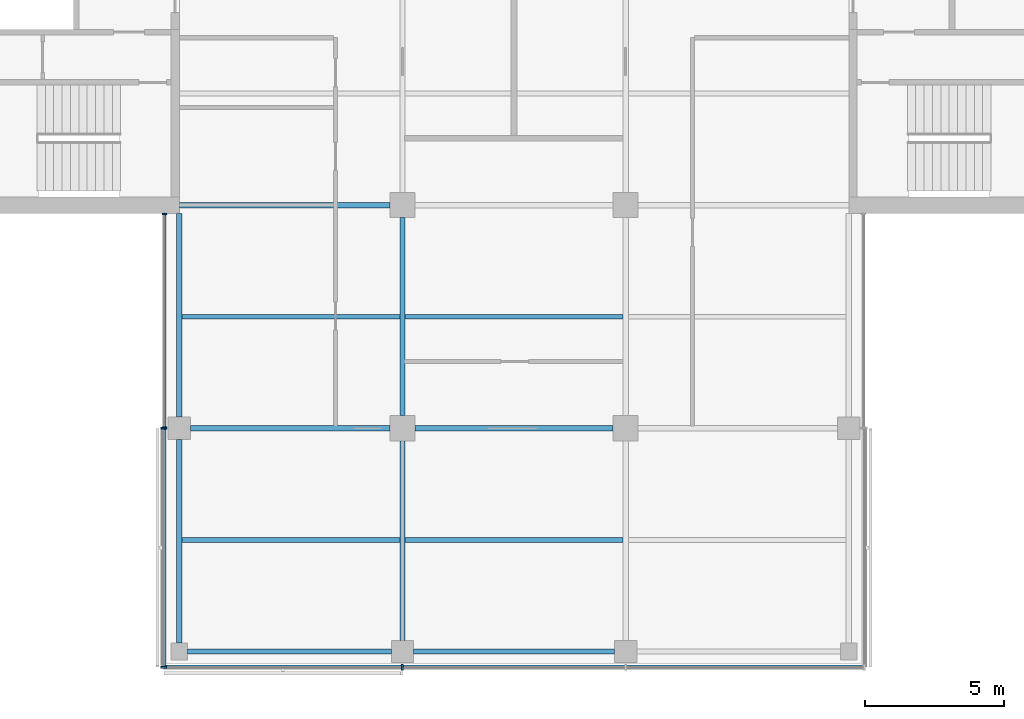
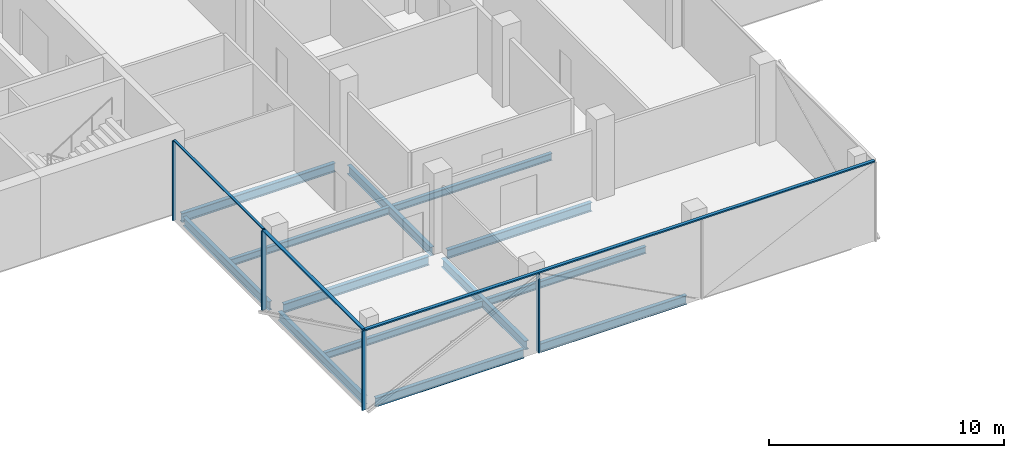
# One storey, part 2 of 15: 13 beams, 8 members, 3 elements without a shape of their own.
"""IFC4 building model written with IfcOpenShell, lengths in metres."""

from ifc_helpers import new_model, si_unit, direction, frame, origin, origin_2d, place, context, subcontext, project, spatial, rectangle, i_section, extrude, material, material_profile, profile_set, type_object, element, aggregate, save


model = new_model("IFC4")

# Units and contexts
model_context = context("Model", 3, precision=1e-05, world=origin(), true_north=direction((0.0, 1.0)))
body_context = subcontext(model_context, "Body", "Model", "MODEL_VIEW")
ifc_project = project(units=[si_unit("LENGTHUNIT", "METRE"), si_unit("AREAUNIT", "SQUARE_METRE"), si_unit("VOLUMEUNIT", "CUBIC_METRE"), si_unit("PLANEANGLEUNIT", "RADIAN"), si_unit("MASSUNIT", "GRAM", prefix="KILO")], contexts=[model_context])

# Site, building, storey
site_placement = place(None, origin())
site = spatial("IfcSite", under=ifc_project, at=site_placement, CompositionType="ELEMENT")
building_placement = place(site_placement, origin())
building = spatial("IfcBuilding", under=site, at=building_placement, Name="Crosswind Convention Tower", CompositionType="ELEMENT")
storey_placement = place(building_placement, frame((0.0, 0.0, 225.10009765625)))
storey = spatial("IfcBuildingStorey", under=building, at=storey_placement, Name="L48", CompositionType="ELEMENT", Elevation=225.10009765625)

# Beams
ifc_material_1 = material(Name="Steel S355", Category="steel")
ifc_material_profile_1 = material_profile(ifc_material_1, i_section(OverallWidth=0.18994140625, OverallDepth=0.45361328125, WebThickness=0.008544921875, FlangeThickness=0.0126953125, FilletRadius=0.01025390625, at=origin_2d()), Name="UB 457x191x67")
ifc_profile_set_1 = profile_set([ifc_material_profile_1], Name="Steel S355")
beam_type_1 = type_object("IfcBeamType", Name="Edge beam UB 457x191x67", PredefinedType="SPANDREL", material=ifc_profile_set_1)
for number, where, z_axis, x_axis, name in (
    (1, (113.0, 72.300048828125, -0.52685546875), (0.0, 1.0, 0.0), (-1.0, 0.0, 0.0), "B16 L48 edge beam 1"),
    (2, (113.0, 80.39990234375, -0.52685546875), (0.0, 1.0, 0.0), (-1.0, 0.0, 0.0), "B16 L48 edge beam 2"),
    (3, (113.300048828125, 72.0, -0.52685546875), (1.0, 0.0, 0.0), (0.0, 1.0, 0.0), "B16 L48 edge beam 5"),
):
    element("IfcBeam", number, at=place(storey_placement, frame(where, z_axis=z_axis, x_axis=x_axis)), inside=storey, type_object=beam_type_1, Name=name, PredefinedType="SPANDREL", context=body_context, shape_type="SweptSolid", body=[
        extrude(i_section(OverallWidth=0.18994140625, OverallDepth=0.45361328125, WebThickness=0.008544921875, FlangeThickness=0.0126953125, FilletRadius=0.01025390625, at=origin_2d()), origin(), (0.0, 0.0, 1.0), 7.300048828125),
    ])
beam_1_placement = place(storey_placement, frame((121.39990234375, 72.0, -0.52685546875), z_axis=(1.0, 0.0, 0.0), x_axis=(0.0, 1.0, 0.0)))
element("IfcBeam", 4, at=beam_1_placement, inside=storey, type_object=beam_type_1, Name="B16 L48 edge beam 7", PredefinedType="SPANDREL", context=body_context, shape_type="SweptSolid", body=[
    extrude(i_section(OverallWidth=0.18994140625, OverallDepth=0.45361328125, WebThickness=0.008544921875, FlangeThickness=0.0126953125, FilletRadius=0.01025390625, at=origin_2d()), origin(), (0.0, 0.0, 1.0), 7.2001953125),
])
ifc_material_profile_2 = material_profile(ifc_material_1, i_section(OverallWidth=0.1904296875, OverallDepth=0.457275390625, WebThickness=0.009033203125, FlangeThickness=0.014404296875, FilletRadius=0.01025390625, at=origin_2d()), Name="UB 457x191x75")
ifc_profile_set_2 = profile_set([ifc_material_profile_2], Name="Steel S355")
beam_type_2 = type_object("IfcBeamType", Name="Girder UB 457x191x75", PredefinedType="BEAM", material=ifc_profile_set_2)
for number, where, z_axis, x_axis, name in (
    (5, (113.39990234375, 80.0, -0.52880859375), (1.0, 0.0, 0.0), (0.0, 1.0, 0.0), "B2 L48 girder 1"),
    (6, (121.0, 72.39990234375, -0.52880859375), (0.0, 1.0, 0.0), (-1.0, 0.0, 0.0), "B2 L48 girder 3"),
):
    element("IfcBeam", number, at=place(storey_placement, frame(where, z_axis=z_axis, x_axis=x_axis)), inside=storey, type_object=beam_type_2, Name=name, PredefinedType="BEAM", context=body_context, shape_type="SweptSolid", body=[
        extrude(i_section(OverallWidth=0.1904296875, OverallDepth=0.457275390625, WebThickness=0.009033203125, FlangeThickness=0.014404296875, FilletRadius=0.01025390625, at=origin_2d()), origin(), (0.0, 0.0, 1.0), 7.150146484375),
    ])
for number, where, z_axis, x_axis, name in (
    (7, (121.0, 80.449951171875, -0.52880859375), (0.0, 1.0, 0.0), (-1.0, 0.0, 0.0), "B2 L48 girder 4"),
    (8, (121.449951171875, 80.0, -0.52880859375), (1.0, 0.0, 0.0), (0.0, 1.0, 0.0), "B2 L48 girder 10"),
):
    element("IfcBeam", number, at=place(storey_placement, frame(where, z_axis=z_axis, x_axis=x_axis)), inside=storey, type_object=beam_type_2, Name=name, PredefinedType="BEAM", context=body_context, shape_type="SweptSolid", body=[
        extrude(i_section(OverallWidth=0.1904296875, OverallDepth=0.457275390625, WebThickness=0.009033203125, FlangeThickness=0.014404296875, FilletRadius=0.01025390625, at=origin_2d()), origin(), (0.0, 0.0, 1.0), 7.10009765625),
    ])
ifc_material_profile_3 = material_profile(ifc_material_1, i_section(OverallWidth=0.19140625, OverallDepth=0.460205078125, WebThickness=0.010009765625, FlangeThickness=0.01611328125, FilletRadius=0.01025390625, at=origin_2d()), Name="UB 457x191x82")
ifc_profile_set_3 = profile_set([ifc_material_profile_3], Name="Steel S355")
beam_type_3 = type_object("IfcBeamType", Name="Girder at core wall UB 457x191x82", PredefinedType="BEAM", material=ifc_profile_set_3)
beam_2_placement = place(storey_placement, frame((113.0, 88.0, -0.5302734375), z_axis=(1.0, 0.0, 0.0), x_axis=(0.0, 1.0, 0.0)))
element("IfcBeam", 9, at=beam_2_placement, inside=storey, type_object=beam_type_3, Name="B23 L48 girder at core wall 1", PredefinedType="BEAM", context=body_context, shape_type="SweptSolid", body=[
    extrude(i_section(OverallWidth=0.19140625, OverallDepth=0.460205078125, WebThickness=0.010009765625, FlangeThickness=0.01611328125, FilletRadius=0.01025390625, at=origin_2d()), origin(), (0.0, 0.0, 1.0), 7.550048828125),
])

# Curtain wall, members
ifc_material_2 = material(Name="Aluminium unitised curtain wall", Category="aluminium")
curtain_wall_type_1 = type_object("IfcCurtainWallType", Name="CORE END SLOT WALL 160", PredefinedType="USERDEFINED", material=ifc_material_2)
curtain_wall_1_placement = place(storey_placement, origin())
curtain_wall_1 = element("IfcCurtainWall", 10, at=curtain_wall_1_placement, inside=storey, type_object=curtain_wall_type_1, Name="CW6 L48 S-W.1-1 slot", ObjectType="UNITISED", PredefinedType="USERDEFINED")
ifc_material_3 = material(Name="Aluminium mullion", Category="aluminium")
ifc_material_profile_4 = material_profile(ifc_material_3, rectangle(XDim=0.159912109375, YDim=0.050048828125, at=origin_2d()), Name="AL 160X50")
ifc_profile_set_4 = profile_set([ifc_material_profile_4], Name="Aluminium mullion")
member_type_1 = type_object("IfcMemberType", Name="MULLION 50X160", PredefinedType="MULLION", material=ifc_profile_set_4)
member_1_placement = place(storey_placement, frame((112.469970703125, 87.675048828125, -0.300048828125), z_axis=(0.0, 0.0, 1.0), x_axis=(-1.0, 0.0, 0.0)))
member_1 = element("IfcMember", 11, at=member_1_placement, type_object=member_type_1, Name="CW6 mullion 1", PredefinedType="MULLION", context=body_context, shape_type="SweptSolid", body=[
    extrude(rectangle(XDim=0.159912109375, YDim=0.050048828125, at=origin_2d()), origin(), (0.0, 0.0, 1.0), 4.14990234375),
])
member_2_placement = place(storey_placement, frame((112.469970703125, 80.02490234375, -0.300048828125), z_axis=(0.0, 0.0, 1.0), x_axis=(-1.0, 0.0, 0.0)))
member_2 = element("IfcMember", 12, at=member_2_placement, type_object=member_type_1, Name="CW6 mullion 2", PredefinedType="MULLION", context=body_context, shape_type="SweptSolid", body=[
    extrude(rectangle(XDim=0.159912109375, YDim=0.050048828125, at=origin_2d()), origin(), (0.0, 0.0, 1.0), 4.14990234375),
])

curtain_wall_type_2 = type_object("IfcCurtainWallType", Name="OFFICE UNITISED WALL 220", PredefinedType="USERDEFINED", material=ifc_material_2)
curtain_wall_2_placement = place(storey_placement, origin())
curtain_wall_2 = element("IfcCurtainWall", 13, at=curtain_wall_2_placement, inside=storey, type_object=curtain_wall_type_2, Name="CW3 L48 S-W 1", ObjectType="UNITISED", PredefinedType="USERDEFINED")
ifc_material_profile_5 = material_profile(ifc_material_3, rectangle(XDim=0.219970703125, YDim=0.070068359375, at=origin_2d()), Name="AL 220X70")
ifc_profile_set_5 = profile_set([ifc_material_profile_5], Name="Aluminium mullion")
member_type_2 = type_object("IfcMemberType", Name="MULLION 70X220", PredefinedType="MULLION", material=ifc_profile_set_5)
member_3_placement = place(storey_placement, frame((112.43994140625, 80.0, -0.300048828125), z_axis=(0.0, 0.0, 1.0), x_axis=(-1.0, 0.0, 0.0)))
member_3 = element("IfcMember", 14, at=member_3_placement, type_object=member_type_2, Name="CW3 mullion 1", PredefinedType="MULLION", context=body_context, shape_type="SweptSolid", body=[
    extrude(rectangle(XDim=0.219970703125, YDim=0.070068359375, at=origin_2d()), origin(), (0.0, 0.0, 1.0), 4.1298828125),
])
member_4_placement = place(storey_placement, frame((112.43994140625, 71.43994140625, -0.300048828125), z_axis=(0.0, 0.0, 1.0), x_axis=(-1.0, 0.0, 0.0)))
member_4 = element("IfcMember", 15, at=member_4_placement, type_object=member_type_2, Name="CW3 mullion 2", PredefinedType="MULLION", context=body_context, shape_type="SweptSolid", body=[
    extrude(rectangle(XDim=0.219970703125, YDim=0.070068359375, at=origin_2d()), origin(), (0.0, 0.0, 1.0), 4.1298828125),
])

# Curtain wall, member
curtain_wall_3_placement = place(storey_placement, origin())
curtain_wall_3 = element("IfcCurtainWall", 16, at=curtain_wall_3_placement, inside=storey, type_object=curtain_wall_type_2, Name="CW3 L48 S-TIP 1", ObjectType="UNITISED", PredefinedType="USERDEFINED")
member_5_placement = place(storey_placement, frame((121.0, 71.43994140625, -0.300048828125), z_axis=(0.0, 0.0, 1.0), x_axis=(0.0, -1.0, 0.0)))
member_5 = element("IfcMember", 17, at=member_5_placement, type_object=member_type_2, Name="CW3 mullion 2", PredefinedType="MULLION", context=body_context, shape_type="SweptSolid", body=[
    extrude(rectangle(XDim=0.219970703125, YDim=0.070068359375, at=origin_2d()), origin(), (0.0, 0.0, 1.0), 4.1298828125),
])

# Beams
ifc_material_profile_6 = material_profile(ifc_material_1, i_section(OverallWidth=0.172119140625, OverallDepth=0.358642578125, WebThickness=0.008056640625, FlangeThickness=0.012939453125, FilletRadius=0.01025390625, at=origin_2d()), Name="UB 356x171x57")
ifc_profile_set_6 = profile_set([ifc_material_profile_6], Name="Steel S355")
beam_type_4 = type_object("IfcBeamType", Name="Secondary beam UB 356x171x57", PredefinedType="JOIST", material=ifc_profile_set_6)
for number, where, z_axis, x_axis, name in (
    (18, (113.094970703125, 76.0, -0.4794921875), (1.0, 0.0, 0.0), (0.0, 1.0, 0.0), "B9 L48 secondary beam 4"),
    (19, (113.094970703125, 84.0, -0.4794921875), (1.0, 0.0, 0.0), (0.0, 1.0, 0.0), "B9 L48 secondary beam 5"),
):
    element("IfcBeam", number, at=place(storey_placement, frame(where, z_axis=z_axis, x_axis=x_axis)), inside=storey, type_object=beam_type_4, Name=name, PredefinedType="JOIST", context=body_context, shape_type="SweptSolid", body=[
        extrude(i_section(OverallWidth=0.172119140625, OverallDepth=0.358642578125, WebThickness=0.008056640625, FlangeThickness=0.012939453125, FilletRadius=0.01025390625, at=origin_2d()), origin(), (0.0, 0.0, 1.0), 7.809814453125),
    ])
for number, where, z_axis, x_axis, name in (
    (20, (121.09521484375, 76.0, -0.4794921875), (1.0, 0.0, 0.0), (0.0, 1.0, 0.0), "B9 L48 secondary beam 8"),
    (21, (121.09521484375, 84.0, -0.4794921875), (1.0, 0.0, 0.0), (0.0, 1.0, 0.0), "B9 L48 secondary beam 9"),
):
    element("IfcBeam", number, at=place(storey_placement, frame(where, z_axis=z_axis, x_axis=x_axis)), inside=storey, type_object=beam_type_4, Name=name, PredefinedType="JOIST", context=body_context, shape_type="SweptSolid", body=[
        extrude(i_section(OverallWidth=0.172119140625, OverallDepth=0.358642578125, WebThickness=0.008056640625, FlangeThickness=0.012939453125, FilletRadius=0.01025390625, at=origin_2d()), origin(), (0.0, 0.0, 1.0), 7.8095703125),
    ])

# Member
ifc_material_4 = material(Name="Aluminium transom", Category="aluminium")
ifc_material_profile_7 = material_profile(ifc_material_4, rectangle(XDim=0.1201171875, YDim=0.050048828125, at=origin_2d()), Name="AL 120X50")
ifc_profile_set_7 = profile_set([ifc_material_profile_7], Name="Aluminium transom")
member_type_3 = type_object("IfcMemberType", Name="TRANSOM 50X120", PredefinedType="USERDEFINED", material=ifc_profile_set_7)
member_6_placement = place(storey_placement, frame((112.469970703125, 87.64990234375, 3.875), z_axis=(0.0, -1.0, 0.0), x_axis=(1.0, 0.0, 0.0)))
member_6 = element("IfcMember", 22, at=member_6_placement, type_object=member_type_3, Name="CW6 transom", ObjectType="TRANSOM", PredefinedType="USERDEFINED", context=body_context, shape_type="SweptSolid", body=[
    extrude(rectangle(XDim=0.1201171875, YDim=0.050048828125, at=origin_2d()), origin(), (0.0, 0.0, 1.0), 7.599853515625),
])

aggregate(curtain_wall_1, [member_1, member_2, member_6])

ifc_material_profile_8 = material_profile(ifc_material_4, rectangle(XDim=0.159912109375, YDim=0.070068359375, at=origin_2d()), Name="AL 160X70")
ifc_profile_set_8 = profile_set([ifc_material_profile_8], Name="Aluminium transom")
member_type_4 = type_object("IfcMemberType", Name="TRANSOM 70X160", PredefinedType="USERDEFINED", material=ifc_profile_set_8)
member_7_placement = place(storey_placement, frame((112.43994140625, 79.965087890625, 3.864990234375), z_axis=(0.0, -1.0, 0.0), x_axis=(1.0, 0.0, 0.0)))
member_7 = element("IfcMember", 23, at=member_7_placement, type_object=member_type_4, Name="CW3 transom", ObjectType="TRANSOM", PredefinedType="USERDEFINED", context=body_context, shape_type="SweptSolid", body=[
    extrude(rectangle(XDim=0.159912109375, YDim=0.070068359375, at=origin_2d()), origin(), (0.0, 0.0, 1.0), 8.489990234375),
])

aggregate(curtain_wall_2, [member_3, member_4, member_7])

member_8_placement = place(storey_placement, frame((112.47509765625, 71.43994140625, 3.864990234375), z_axis=(1.0, 0.0, 0.0), x_axis=(0.0, 1.0, 0.0)))
member_8 = element("IfcMember", 24, at=member_8_placement, type_object=member_type_4, Name="CW3 transom", ObjectType="TRANSOM", PredefinedType="USERDEFINED", context=body_context, shape_type="SweptSolid", body=[
    extrude(rectangle(XDim=0.159912109375, YDim=0.070068359375, at=origin_2d()), origin(), (0.0, 0.0, 1.0), 25.0498046875),
])

aggregate(curtain_wall_3, [member_5, member_8])

save(model, "model.ifc")
